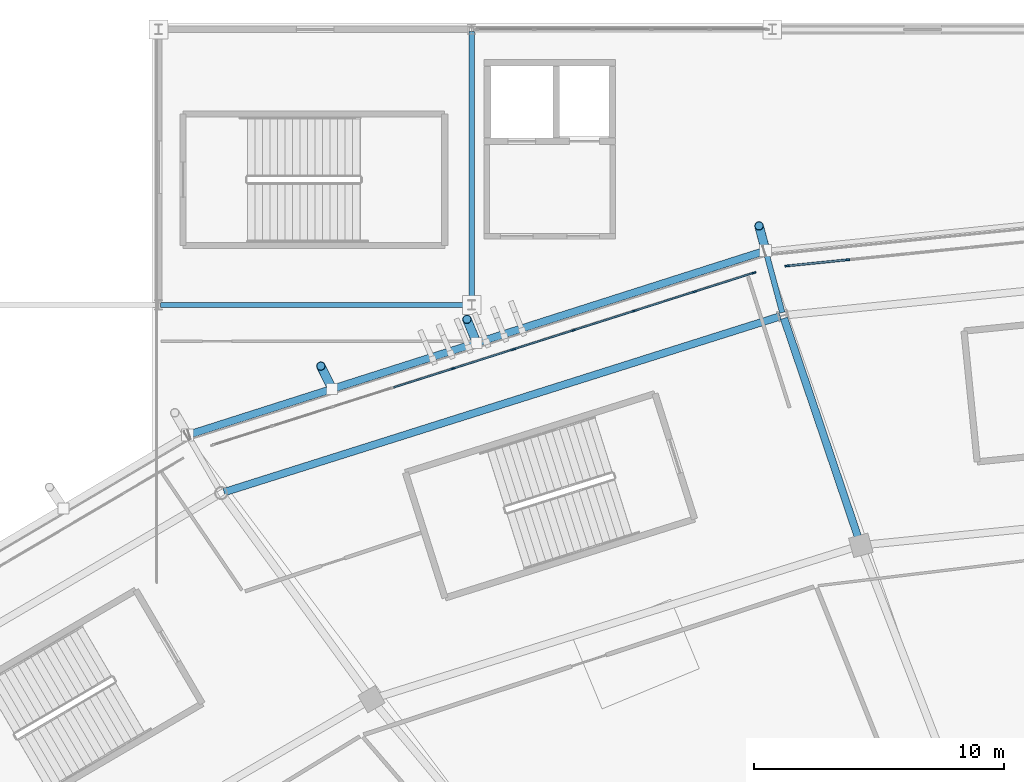
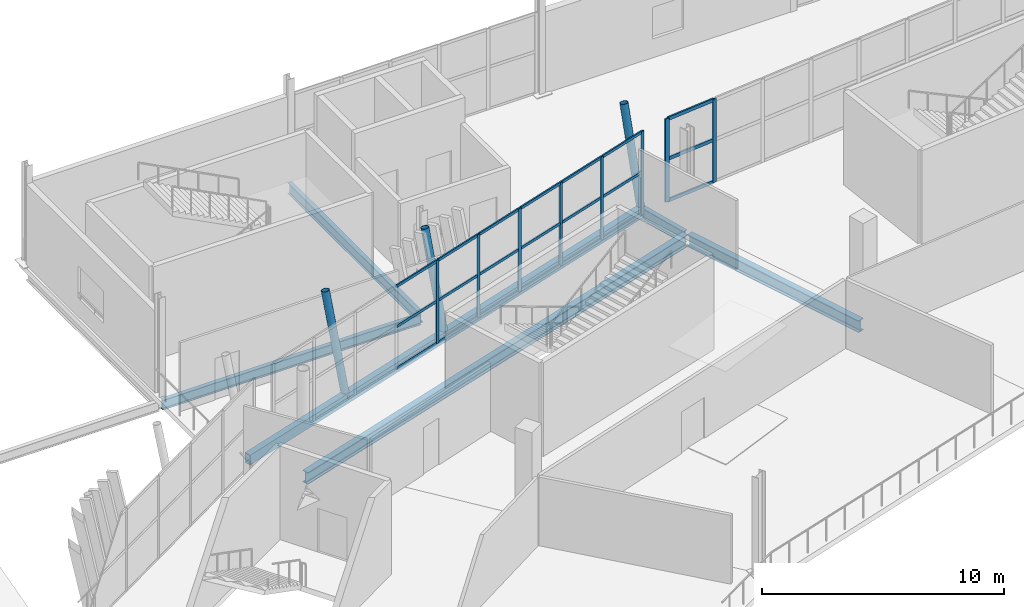
# One storey, part 74 of 179: 32 members, 6 beams, 2 elements without a shape of their own.
"""IFC4 building model written with IfcOpenShell, lengths in metres."""

from ifc_helpers import new_model, si_unit, direction, frame, origin, origin_2d, place, context, subcontext, project, spatial, rectangle, hollow_rectangle, hollow_circle, i_section, extrude, material, material_profile, profile_set, type_object, element, aggregate, save


model = new_model("IFC4")

# Units and contexts
model_context = context("Model", 3, precision=1e-05, world=origin(), true_north=direction((0.0, 1.0)))
body_context = subcontext(model_context, "Body", "Model", "MODEL_VIEW")
ifc_project = project(units=[si_unit("LENGTHUNIT", "METRE"), si_unit("AREAUNIT", "SQUARE_METRE"), si_unit("VOLUMEUNIT", "CUBIC_METRE"), si_unit("PLANEANGLEUNIT", "RADIAN"), si_unit("MASSUNIT", "GRAM", prefix="KILO")], contexts=[model_context])

# Site, building, storey
site_placement = place(None, origin())
site = spatial("IfcSite", under=ifc_project, at=site_placement, CompositionType="ELEMENT")
building_placement = place(site_placement, origin())
building = spatial("IfcBuilding", under=site, at=building_placement, Name="Zlatoyarsky Gate Stadium", CompositionType="ELEMENT")
storey_placement = place(building_placement, frame((0.0, 0.0, 10.60009765625)))
storey = spatial("IfcBuildingStorey", under=building, at=storey_placement, Name="L02", CompositionType="ELEMENT", Elevation=10.60009765625)

# Curtain wall, members
ifc_material_1 = material(Name="Thermally broken anodised aluminium curtain wall", Category="aluminium")
curtain_wall_type_1 = type_object("IfcCurtainWallType", Name="MONUMENTAL ARCHED GATE GLAZING UPPER", PredefinedType="USERDEFINED", material=ifc_material_1)
curtain_wall_1_placement = place(storey_placement, origin())
curtain_wall_1 = element("IfcCurtainWall", 1, at=curtain_wall_1_placement, inside=storey, type_object=curtain_wall_type_1, Name="Curtain wall CW-L02-06", ObjectType="ARCHED GATE GLAZING", PredefinedType="USERDEFINED")
ifc_material_2 = material(Name="Anodised aluminium 6063-T6", Category="aluminium")
ifc_material_profile_1 = material_profile(ifc_material_2, rectangle(XDim=0.074951171875, YDim=0.18994140625, at=origin_2d()), Name="ALU 75X190")
ifc_profile_set_1 = profile_set([ifc_material_profile_1], Name="Anodised aluminium 6063-T6")
member_type_1 = type_object("IfcMemberType", Name="ALUMINIUM GATE MULLION 75X190", PredefinedType="MULLION", material=ifc_profile_set_1)
member_1_placement = place(storey_placement, frame((89.50341796875, 150.80126953125, 0.0), z_axis=(0.0, 0.0, 1.0), x_axis=(0.100642363208, -0.994922667712, 0.0)))
member_1 = element("IfcMember", 2, at=member_1_placement, type_object=member_type_1, Name="CW-AG2 mullion 8", PredefinedType="MULLION", context=body_context, shape_type="SweptSolid", body=[
    extrude(rectangle(XDim=0.074951171875, YDim=0.18994140625, at=origin_2d()), origin(), (0.0, 0.0, 1.0), 4.199951171875),
])
member_2_placement = place(storey_placement, frame((87.102294921875, 150.55859375, 0.0), z_axis=(0.0, 0.0, 1.0), x_axis=(0.100642363208, -0.994922667712, 0.0)))
member_2 = element("IfcMember", 3, at=member_2_placement, type_object=member_type_1, Name="CW-AG2 mullion 9", PredefinedType="MULLION", context=body_context, shape_type="SweptSolid", body=[
    extrude(rectangle(XDim=0.074951171875, YDim=0.18994140625, at=origin_2d()), origin(), (0.0, 0.0, 1.0), 4.199951171875),
])
ifc_material_profile_2 = material_profile(ifc_material_2, rectangle(XDim=0.074951171875, YDim=0.169921875, at=origin_2d()), Name="ALU 75X170")
ifc_profile_set_2 = profile_set([ifc_material_profile_2], Name="Anodised aluminium 6063-T6")
member_type_2 = type_object("IfcMemberType", Name="ALUMINIUM GATE TRANSOM 75X170", PredefinedType="USERDEFINED", material=ifc_profile_set_2)
member_3_placement = place(storey_placement, frame((89.46630859375, 150.797607421875, 0.037353515625), z_axis=(-0.994922838656, -0.100640673291, 0.0), x_axis=(0.100640673291, -0.994922838656, 0.0)))
member_3 = element("IfcMember", 4, at=member_3_placement, type_object=member_type_2, Name="CW-AG2 transom 8.1", ObjectType="TRANSOM", PredefinedType="USERDEFINED", context=body_context, shape_type="SweptSolid", body=[
    extrude(rectangle(XDim=0.074951171875, YDim=0.169921875, at=origin_2d()), origin(), (0.0, 0.0, 1.0), 2.338623046875),
])
member_4_placement = place(storey_placement, frame((89.46630859375, 150.797607421875, 2.14990234375), z_axis=(-0.994922838656, -0.100640673291, 0.0), x_axis=(0.100640673291, -0.994922838656, 0.0)))
member_4 = element("IfcMember", 5, at=member_4_placement, type_object=member_type_2, Name="CW-AG2 transom 8.2", ObjectType="TRANSOM", PredefinedType="USERDEFINED", context=body_context, shape_type="SweptSolid", body=[
    extrude(rectangle(XDim=0.074951171875, YDim=0.169921875, at=origin_2d()), origin(), (0.0, 0.0, 1.0), 2.338623046875),
])
member_5_placement = place(storey_placement, frame((89.46630859375, 150.797607421875, 4.162353515625), z_axis=(-0.994922838656, -0.100640673291, 0.0), x_axis=(0.100640673291, -0.994922838656, 0.0)))
member_5 = element("IfcMember", 6, at=member_5_placement, type_object=member_type_2, Name="CW-AG2 transom 8.3", ObjectType="TRANSOM", PredefinedType="USERDEFINED", context=body_context, shape_type="SweptSolid", body=[
    extrude(rectangle(XDim=0.074951171875, YDim=0.169921875, at=origin_2d()), origin(), (0.0, 0.0, 1.0), 2.338623046875),
])
aggregate(curtain_wall_1, [member_1, member_2, member_3, member_4, member_5])

curtain_wall_type_2 = type_object("IfcCurtainWallType", Name="UNITISED HOSPITALITY GLAZING L02", PredefinedType="USERDEFINED", material=ifc_material_1)
curtain_wall_2_placement = place(storey_placement, origin())
curtain_wall_2 = element("IfcCurtainWall", 7, at=curtain_wall_2_placement, inside=storey, type_object=curtain_wall_type_2, Name="Curtain wall CW-L02-07", ObjectType="UNITISED GLAZING", PredefinedType="USERDEFINED")
ifc_material_profile_3 = material_profile(ifc_material_2, rectangle(XDim=0.06494140625, YDim=0.159912109375, at=origin_2d()), Name="ALU 65X160")
ifc_profile_set_3 = profile_set([ifc_material_profile_3], Name="Anodised aluminium 6063-T6")
member_type_3 = type_object("IfcMemberType", Name="ALUMINIUM MULLION 65X160", PredefinedType="MULLION", material=ifc_profile_set_3)
member_6_placement = place(storey_placement, frame((85.76806640625, 150.2822265625, 0.0), z_axis=(0.0, 0.0, 1.0), x_axis=(0.30327935196, -0.952901692031, 0.0)))
member_6 = element("IfcMember", 8, at=member_6_placement, type_object=member_type_3, Name="CW-UG2 mullion 1", PredefinedType="MULLION", context=body_context, shape_type="SweptSolid", body=[
    extrude(rectangle(XDim=0.06494140625, YDim=0.159912109375, at=origin_2d()), origin(), (0.0, 0.0, 1.0), 4.199951171875),
])
member_7_placement = place(storey_placement, frame((83.3916015625, 149.52587890625, 0.0), z_axis=(0.0, 0.0, 1.0), x_axis=(0.30327935196, -0.952901692031, 0.0)))
member_7 = element("IfcMember", 9, at=member_7_placement, type_object=member_type_3, Name="CW-UG2 mullion 2", PredefinedType="MULLION", context=body_context, shape_type="SweptSolid", body=[
    extrude(rectangle(XDim=0.06494140625, YDim=0.159912109375, at=origin_2d()), origin(), (0.0, 0.0, 1.0), 4.199951171875),
])
member_8_placement = place(storey_placement, frame((80.98388671875, 148.759765625, 0.0), z_axis=(0.0, 0.0, 1.0), x_axis=(0.30327935196, -0.952901692031, 0.0)))
member_8 = element("IfcMember", 10, at=member_8_placement, type_object=member_type_3, Name="CW-UG2 mullion 3", PredefinedType="MULLION", context=body_context, shape_type="SweptSolid", body=[
    extrude(rectangle(XDim=0.06494140625, YDim=0.159912109375, at=origin_2d()), origin(), (0.0, 0.0, 1.0), 4.199951171875),
])
member_9_placement = place(storey_placement, frame((78.576416015625, 147.993408203125, 0.0), z_axis=(0.0, 0.0, 1.0), x_axis=(0.30327935196, -0.952901692031, 0.0)))
member_9 = element("IfcMember", 11, at=member_9_placement, type_object=member_type_3, Name="CW-UG2 mullion 4", PredefinedType="MULLION", context=body_context, shape_type="SweptSolid", body=[
    extrude(rectangle(XDim=0.06494140625, YDim=0.159912109375, at=origin_2d()), origin(), (0.0, 0.0, 1.0), 4.199951171875),
])
member_10_placement = place(storey_placement, frame((76.1689453125, 147.227294921875, 0.0), z_axis=(0.0, 0.0, 1.0), x_axis=(0.30327935196, -0.952901692031, 0.0)))
member_10 = element("IfcMember", 12, at=member_10_placement, type_object=member_type_3, Name="CW-UG2 mullion 5", PredefinedType="MULLION", context=body_context, shape_type="SweptSolid", body=[
    extrude(rectangle(XDim=0.06494140625, YDim=0.159912109375, at=origin_2d()), origin(), (0.0, 0.0, 1.0), 4.199951171875),
])
member_11_placement = place(storey_placement, frame((73.761474609375, 146.4609375, 0.0), z_axis=(0.0, 0.0, 1.0), x_axis=(0.30327935196, -0.952901692031, 0.0)))
member_11 = element("IfcMember", 13, at=member_11_placement, type_object=member_type_3, Name="CW-UG2 mullion 6", PredefinedType="MULLION", context=body_context, shape_type="SweptSolid", body=[
    extrude(rectangle(XDim=0.06494140625, YDim=0.159912109375, at=origin_2d()), origin(), (0.0, 0.0, 1.0), 4.199951171875),
])
ifc_material_profile_4 = material_profile(ifc_material_2, rectangle(XDim=0.06494140625, YDim=0.139892578125, at=origin_2d()), Name="ALU 65X140")
ifc_profile_set_4 = profile_set([ifc_material_profile_4], Name="Anodised aluminium 6063-T6")
member_type_4 = type_object("IfcMemberType", Name="ALUMINIUM TRANSOM 65X140", PredefinedType="USERDEFINED", material=ifc_profile_set_4)
member_12_placement = place(storey_placement, frame((85.737060546875, 150.2724609375, 0.032470703125), z_axis=(-0.952916539621, -0.303232696977, 0.0), x_axis=(0.303232696977, -0.952916539621, 0.0)))
member_12 = element("IfcMember", 14, at=member_12_placement, type_object=member_type_4, Name="CW-UG2 transom 1.1", ObjectType="TRANSOM", PredefinedType="USERDEFINED", context=body_context, shape_type="SweptSolid", body=[
    extrude(rectangle(XDim=0.06494140625, YDim=0.139892578125, at=origin_2d()), origin(), (0.0, 0.0, 1.0), 2.428955078125),
])
member_13_placement = place(storey_placement, frame((85.737060546875, 150.2724609375, 2.14990234375), z_axis=(-0.952916539621, -0.303232696977, 0.0), x_axis=(0.303232696977, -0.952916539621, 0.0)))
member_13 = element("IfcMember", 15, at=member_13_placement, type_object=member_type_4, Name="CW-UG2 transom 1.2", ObjectType="TRANSOM", PredefinedType="USERDEFINED", context=body_context, shape_type="SweptSolid", body=[
    extrude(rectangle(XDim=0.06494140625, YDim=0.139892578125, at=origin_2d()), origin(), (0.0, 0.0, 1.0), 2.428955078125),
])
member_14_placement = place(storey_placement, frame((85.737060546875, 150.2724609375, 4.16748046875), z_axis=(-0.952916539621, -0.303232696977, 0.0), x_axis=(0.303232696977, -0.952916539621, 0.0)))
member_14 = element("IfcMember", 16, at=member_14_placement, type_object=member_type_4, Name="CW-UG2 transom 1.3", ObjectType="TRANSOM", PredefinedType="USERDEFINED", context=body_context, shape_type="SweptSolid", body=[
    extrude(rectangle(XDim=0.06494140625, YDim=0.139892578125, at=origin_2d()), origin(), (0.0, 0.0, 1.0), 2.428955078125),
])
member_15_placement = place(storey_placement, frame((83.360595703125, 149.51611328125, 0.032470703125), z_axis=(-0.952899726058, -0.303285528964, 0.0), x_axis=(0.303285528964, -0.952899726058, 0.0)))
member_15 = element("IfcMember", 17, at=member_15_placement, type_object=member_type_4, Name="CW-UG2 transom 2.1", ObjectType="TRANSOM", PredefinedType="USERDEFINED", context=body_context, shape_type="SweptSolid", body=[
    extrude(rectangle(XDim=0.06494140625, YDim=0.139892578125, at=origin_2d()), origin(), (0.0, 0.0, 1.0), 2.461669921875),
])
member_16_placement = place(storey_placement, frame((83.360595703125, 149.51611328125, 2.14990234375), z_axis=(-0.952899726058, -0.303285528964, 0.0), x_axis=(0.303285528964, -0.952899726058, 0.0)))
member_16 = element("IfcMember", 18, at=member_16_placement, type_object=member_type_4, Name="CW-UG2 transom 2.2", ObjectType="TRANSOM", PredefinedType="USERDEFINED", context=body_context, shape_type="SweptSolid", body=[
    extrude(rectangle(XDim=0.06494140625, YDim=0.139892578125, at=origin_2d()), origin(), (0.0, 0.0, 1.0), 2.461669921875),
])
member_17_placement = place(storey_placement, frame((83.360595703125, 149.51611328125, 4.16748046875), z_axis=(-0.952899726058, -0.303285528964, 0.0), x_axis=(0.303285528964, -0.952899726058, 0.0)))
member_17 = element("IfcMember", 19, at=member_17_placement, type_object=member_type_4, Name="CW-UG2 transom 2.3", ObjectType="TRANSOM", PredefinedType="USERDEFINED", context=body_context, shape_type="SweptSolid", body=[
    extrude(rectangle(XDim=0.06494140625, YDim=0.139892578125, at=origin_2d()), origin(), (0.0, 0.0, 1.0), 2.461669921875),
])
member_18_placement = place(storey_placement, frame((80.953125, 148.749755859375, 0.032470703125), z_axis=(-0.9529283851, -0.303195469739, 0.0), x_axis=(0.303195469739, -0.9529283851, 0.0)))
member_18 = element("IfcMember", 20, at=member_18_placement, type_object=member_type_4, Name="CW-UG2 transom 3.1", ObjectType="TRANSOM", PredefinedType="USERDEFINED", context=body_context, shape_type="SweptSolid", body=[
    extrude(rectangle(XDim=0.06494140625, YDim=0.139892578125, at=origin_2d()), origin(), (0.0, 0.0, 1.0), 2.461669921875),
])
member_19_placement = place(storey_placement, frame((80.953125, 148.749755859375, 2.14990234375), z_axis=(-0.9529283851, -0.303195469739, 0.0), x_axis=(0.303195469739, -0.9529283851, 0.0)))
member_19 = element("IfcMember", 21, at=member_19_placement, type_object=member_type_4, Name="CW-UG2 transom 3.2", ObjectType="TRANSOM", PredefinedType="USERDEFINED", context=body_context, shape_type="SweptSolid", body=[
    extrude(rectangle(XDim=0.06494140625, YDim=0.139892578125, at=origin_2d()), origin(), (0.0, 0.0, 1.0), 2.461669921875),
])
member_20_placement = place(storey_placement, frame((80.953125, 148.749755859375, 4.16748046875), z_axis=(-0.9529283851, -0.303195469739, 0.0), x_axis=(0.303195469739, -0.9529283851, 0.0)))
member_20 = element("IfcMember", 22, at=member_20_placement, type_object=member_type_4, Name="CW-UG2 transom 3.3", ObjectType="TRANSOM", PredefinedType="USERDEFINED", context=body_context, shape_type="SweptSolid", body=[
    extrude(rectangle(XDim=0.06494140625, YDim=0.139892578125, at=origin_2d()), origin(), (0.0, 0.0, 1.0), 2.461669921875),
])
member_21_placement = place(storey_placement, frame((78.54541015625, 147.983642578125, 0.032470703125), z_axis=(-0.952890602186, -0.303314193972, 0.0), x_axis=(0.303314193972, -0.952890602186, 0.0)))
member_21 = element("IfcMember", 23, at=member_21_placement, type_object=member_type_4, Name="CW-UG2 transom 4.1", ObjectType="TRANSOM", PredefinedType="USERDEFINED", context=body_context, shape_type="SweptSolid", body=[
    extrude(rectangle(XDim=0.06494140625, YDim=0.139892578125, at=origin_2d()), origin(), (0.0, 0.0, 1.0), 2.46142578125),
])
member_22_placement = place(storey_placement, frame((78.54541015625, 147.983642578125, 2.14990234375), z_axis=(-0.952890602186, -0.303314193972, 0.0), x_axis=(0.303314193972, -0.952890602186, 0.0)))
member_22 = element("IfcMember", 24, at=member_22_placement, type_object=member_type_4, Name="CW-UG2 transom 4.2", ObjectType="TRANSOM", PredefinedType="USERDEFINED", context=body_context, shape_type="SweptSolid", body=[
    extrude(rectangle(XDim=0.06494140625, YDim=0.139892578125, at=origin_2d()), origin(), (0.0, 0.0, 1.0), 2.46142578125),
])
member_23_placement = place(storey_placement, frame((78.54541015625, 147.983642578125, 4.16748046875), z_axis=(-0.952890602186, -0.303314193972, 0.0), x_axis=(0.303314193972, -0.952890602186, 0.0)))
member_23 = element("IfcMember", 25, at=member_23_placement, type_object=member_type_4, Name="CW-UG2 transom 4.3", ObjectType="TRANSOM", PredefinedType="USERDEFINED", context=body_context, shape_type="SweptSolid", body=[
    extrude(rectangle(XDim=0.06494140625, YDim=0.139892578125, at=origin_2d()), origin(), (0.0, 0.0, 1.0), 2.46142578125),
])
member_24_placement = place(storey_placement, frame((76.137939453125, 147.217529296875, 0.032470703125), z_axis=(-0.952890602186, -0.303314193972, 0.0), x_axis=(0.303314193972, -0.952890602186, 0.0)))
member_24 = element("IfcMember", 26, at=member_24_placement, type_object=member_type_4, Name="CW-UG2 transom 5.1", ObjectType="TRANSOM", PredefinedType="USERDEFINED", context=body_context, shape_type="SweptSolid", body=[
    extrude(rectangle(XDim=0.06494140625, YDim=0.139892578125, at=origin_2d()), origin(), (0.0, 0.0, 1.0), 2.46142578125),
])
member_25_placement = place(storey_placement, frame((76.137939453125, 147.217529296875, 2.14990234375), z_axis=(-0.952890602186, -0.303314193972, 0.0), x_axis=(0.303314193972, -0.952890602186, 0.0)))
member_25 = element("IfcMember", 27, at=member_25_placement, type_object=member_type_4, Name="CW-UG2 transom 5.2", ObjectType="TRANSOM", PredefinedType="USERDEFINED", context=body_context, shape_type="SweptSolid", body=[
    extrude(rectangle(XDim=0.06494140625, YDim=0.139892578125, at=origin_2d()), origin(), (0.0, 0.0, 1.0), 2.46142578125),
])
member_26_placement = place(storey_placement, frame((76.137939453125, 147.217529296875, 4.16748046875), z_axis=(-0.952890602186, -0.303314193972, 0.0), x_axis=(0.303314193972, -0.952890602186, 0.0)))
member_26 = element("IfcMember", 28, at=member_26_placement, type_object=member_type_4, Name="CW-UG2 transom 5.3", ObjectType="TRANSOM", PredefinedType="USERDEFINED", context=body_context, shape_type="SweptSolid", body=[
    extrude(rectangle(XDim=0.06494140625, YDim=0.139892578125, at=origin_2d()), origin(), (0.0, 0.0, 1.0), 2.46142578125),
])
member_27_placement = place(storey_placement, frame((73.73046875, 146.451171875, 0.032470703125), z_axis=(-0.952890602186, -0.303314193972, 0.0), x_axis=(0.303314193972, -0.952890602186, 0.0)))
member_27 = element("IfcMember", 29, at=member_27_placement, type_object=member_type_4, Name="CW-UG2 transom 6.1", ObjectType="TRANSOM", PredefinedType="USERDEFINED", context=body_context, shape_type="SweptSolid", body=[
    extrude(rectangle(XDim=0.06494140625, YDim=0.139892578125, at=origin_2d()), origin(), (0.0, 0.0, 1.0), 2.46142578125),
])
member_28_placement = place(storey_placement, frame((73.73046875, 146.451171875, 2.14990234375), z_axis=(-0.952890602186, -0.303314193972, 0.0), x_axis=(0.303314193972, -0.952890602186, 0.0)))
member_28 = element("IfcMember", 30, at=member_28_placement, type_object=member_type_4, Name="CW-UG2 transom 6.2", ObjectType="TRANSOM", PredefinedType="USERDEFINED", context=body_context, shape_type="SweptSolid", body=[
    extrude(rectangle(XDim=0.06494140625, YDim=0.139892578125, at=origin_2d()), origin(), (0.0, 0.0, 1.0), 2.46142578125),
])
member_29_placement = place(storey_placement, frame((73.73046875, 146.451171875, 4.16748046875), z_axis=(-0.952890602186, -0.303314193972, 0.0), x_axis=(0.303314193972, -0.952890602186, 0.0)))
member_29 = element("IfcMember", 31, at=member_29_placement, type_object=member_type_4, Name="CW-UG2 transom 6.3", ObjectType="TRANSOM", PredefinedType="USERDEFINED", context=body_context, shape_type="SweptSolid", body=[
    extrude(rectangle(XDim=0.06494140625, YDim=0.139892578125, at=origin_2d()), origin(), (0.0, 0.0, 1.0), 2.46142578125),
])
aggregate(curtain_wall_2, [member_6, member_7, member_8, member_9, member_10, member_11, member_12, member_13, member_14, member_15, member_16, member_17, member_18, member_19, member_20, member_21, member_22, member_23, member_24, member_25, member_26, member_27, member_28, member_29])

# Beams
ifc_material_3 = material(Name="Steel S355", Category="steel")
ifc_material_profile_5 = material_profile(ifc_material_3, i_section(OverallWidth=0.219970703125, OverallDepth=0.60009765625, WebThickness=0.011962890625, FlangeThickness=0.01904296875, FilletRadius=0.02392578125, at=origin_2d()), Name="IPE 600")
ifc_profile_set_5 = profile_set([ifc_material_profile_5], Name="Steel S355")
beam_type_1 = type_object("IfcBeamType", Name="STEEL CANTILEVER FLOOR BEAM IPE 600", PredefinedType="BEAM", material=ifc_profile_set_5)
beam_1_placement = place(storey_placement, frame((86.898681640625, 148.696533203125, -0.580078125), z_axis=(-0.258750408198, 0.965944214879, 0.0), x_axis=(-0.965944214879, -0.258750408198, 0.0)))
element("IfcBeam", 32, at=beam_1_placement, inside=storey, type_object=beam_type_1, Name="Beam B-IPE600 BM-L02-OUT-07", PredefinedType="BEAM", context=body_context, shape_type="SweptSolid", body=[
    extrude(i_section(OverallWidth=0.219970703125, OverallDepth=0.60009765625, WebThickness=0.011962890625, FlangeThickness=0.01904296875, FilletRadius=0.02392578125, at=origin_2d()), origin(), (0.0, 0.0, 1.0), 2.55615234375),
])
ifc_material_profile_6 = material_profile(ifc_material_3, i_section(OverallWidth=0.199951171875, OverallDepth=0.5, WebThickness=0.01025390625, FlangeThickness=0.01611328125, FilletRadius=0.02099609375, at=origin_2d()), Name="IPE 500")
ifc_profile_set_6 = profile_set([ifc_material_profile_6], Name="Steel S355")
beam_type_2 = type_object("IfcBeamType", Name="STEEL FLOOR BEAM IPE 500", PredefinedType="BEAM", material=ifc_profile_set_6)
beam_2_placement = place(storey_placement, frame((62.080078125, 149.0, -0.530029296875), z_axis=(1.0, 0.0, 0.0), x_axis=(0.0, 1.0, 0.0)))
element("IfcBeam", 33, at=beam_2_placement, inside=storey, type_object=beam_type_2, Name="Beam B-IPE500 BM-L02-WGX-6-P", PredefinedType="BEAM", context=body_context, shape_type="SweptSolid", body=[
    extrude(i_section(OverallWidth=0.199951171875, OverallDepth=0.5, WebThickness=0.01025390625, FlangeThickness=0.01611328125, FilletRadius=0.02099609375, at=origin_2d()), origin(), (0.0, 0.0, 1.0), 12.33984375),
])
ifc_material_profile_7 = material_profile(ifc_material_3, i_section(OverallWidth=0.2099609375, OverallDepth=0.550048828125, WebThickness=0.010986328125, FlangeThickness=0.01708984375, FilletRadius=0.02392578125, at=origin_2d()), Name="IPE 550")
ifc_profile_set_7 = profile_set([ifc_material_profile_7], Name="Steel S355")
beam_type_3 = type_object("IfcBeamType", Name="STEEL FLOOR BEAM IPE 550", PredefinedType="BEAM", material=ifc_profile_set_7)
beam_3_placement = place(storey_placement, frame((74.5, 149.080078125, -0.55517578125), z_axis=(0.0, 1.0, 0.0), x_axis=(-1.0, 0.0, 0.0)))
element("IfcBeam", 34, at=beam_3_placement, inside=storey, type_object=beam_type_3, Name="Beam B-IPE550 BM-L02-WGY-7-P", PredefinedType="BEAM", context=body_context, shape_type="SweptSolid", body=[
    extrude(i_section(OverallWidth=0.2099609375, OverallDepth=0.550048828125, WebThickness=0.010986328125, FlangeThickness=0.01708984375, FilletRadius=0.02392578125, at=origin_2d()), origin(), (0.0, 0.0, 1.0), 10.83984375),
])

# Members
ifc_material_profile_8 = material_profile(ifc_material_3, hollow_circle(Radius=0.177734375, WallThickness=0.02001953125, at=origin_2d()), Name="CHS 355.6X20")
ifc_profile_set_8 = profile_set([ifc_material_profile_8], Name="Steel S355")
member_type_5 = type_object("IfcMemberType", Name="STEEL LEANING RIB RING STRUT CHS 355.6X20", PredefinedType="STRUT", material=ifc_profile_set_8)
member_30_placement = place(storey_placement, frame((86.2373046875, 151.16552734375, -0.580078125), z_axis=(-0.052040278596, 0.194194421968, 0.979581714754), x_axis=(-0.96591831511, -0.258847075576, 0.0)))
element("IfcMember", 35, at=member_30_placement, inside=storey, type_object=member_type_5, Name="Leaning ring strut 07 L02 to L03", PredefinedType="STRUT", context=body_context, shape_type="SweptSolid", body=[
    extrude(hollow_circle(Radius=0.177734375, WallThickness=0.02001953125, at=origin_2d()), origin(), (0.0, 0.0, 1.0), 5.104248046875),
])
member_31_placement = place(storey_placement, frame((74.69970703125, 147.4853515625, -0.530029296875), z_axis=(-0.076316931677, 0.184213283357, 0.979918972249), x_axis=(-0.923855963606, -0.38274032778, 0.0)))
element("IfcMember", 36, at=member_31_placement, inside=storey, type_object=member_type_5, Name="Outward-leaning bowl louvre fin rib L02 07-2", PredefinedType="STRUT", context=body_context, shape_type="SweptSolid", body=[
    extrude(hollow_circle(Radius=0.177734375, WallThickness=0.02001953125, at=origin_2d()), origin(), (0.0, 0.0, 1.0), 5.1025390625),
])
member_32_placement = place(storey_placement, frame((68.930908203125, 145.645263671875, -0.530029296875), z_axis=(-0.088461637848, 0.179219737902, 0.979823874059), x_axis=(-0.896713419894, -0.442611615959, 0.0)))
element("IfcMember", 37, at=member_32_placement, inside=storey, type_object=member_type_5, Name="Outward-leaning bowl louvre fin rib L02 07-3", PredefinedType="STRUT", context=body_context, shape_type="SweptSolid", body=[
    extrude(hollow_circle(Radius=0.177734375, WallThickness=0.02001953125, at=origin_2d()), origin(), (0.0, 0.0, 1.0), 5.10302734375),
])

# Beams
ifc_material_profile_9 = material_profile(ifc_material_3, hollow_rectangle(XDim=0.300048828125, YDim=0.5, WallThickness=0.02001953125, at=origin_2d()), Name="RHS 500X300X20")
ifc_profile_set_9 = profile_set([ifc_material_profile_9], Name="Steel S355")
beam_type_4 = type_object("IfcBeamType", Name="STEEL LOUVRE CARRIER SPANDREL RHS 500X300X20", PredefinedType="SPANDREL", material=ifc_profile_set_9)
beam_4_placement = place(storey_placement, frame((86.21826171875, 151.159423828125, -0.530029296875), z_axis=(-0.952708602782, -0.303885370141, 0.0), x_axis=(0.303885370141, -0.952708602782, 0.0)))
element("IfcBeam", 38, at=beam_4_placement, inside=storey, type_object=beam_type_4, Name="Beam SP-RHS500 BM-L02-SPD-07", PredefinedType="SPANDREL", context=body_context, shape_type="SweptSolid", body=[
    extrude(hollow_rectangle(XDim=0.300048828125, YDim=0.5, WallThickness=0.02001953125, at=origin_2d()), origin(), (0.0, 0.0, 1.0), 24.1806640625),
])
ifc_material_profile_10 = material_profile(ifc_material_3, i_section(OverallWidth=0.300048828125, OverallDepth=0.60009765625, WebThickness=0.015380859375, FlangeThickness=0.030029296875, FilletRadius=0.027099609375, at=origin_2d()), Name="HEB 600")
ifc_profile_set_10 = profile_set([ifc_material_profile_10], Name="Steel S355")
beam_type_5 = type_object("IfcBeamType", Name="STEEL PRIMARY GIRDER HEB 600", PredefinedType="BEAM", material=ifc_profile_set_10)
beam_5_placement = place(storey_placement, frame((89.997314453125, 139.51806640625, -0.580078125), z_axis=(-0.320612225581, 0.947210536686, 0.0), x_axis=(-0.947210536686, -0.320612225581, 0.0)))
element("IfcBeam", 39, at=beam_5_placement, inside=storey, type_object=beam_type_5, Name="Beam G-HEB600 BM-L02-RBC-07", PredefinedType="BEAM", context=body_context, shape_type="SweptSolid", body=[
    extrude(i_section(OverallWidth=0.300048828125, OverallDepth=0.60009765625, WebThickness=0.015380859375, FlangeThickness=0.030029296875, FilletRadius=0.027099609375, at=origin_2d()), origin(), (0.0, 0.0, 1.0), 9.44775390625),
])
beam_6_placement = place(storey_placement, frame((86.8154296875, 148.54443359375, -0.580078125), z_axis=(-0.953463107403, -0.301509706015, 0.0), x_axis=(0.301509706015, -0.953463107403, 0.0)))
element("IfcBeam", 40, at=beam_6_placement, inside=storey, type_object=beam_type_5, Name="Beam G-HEB600 BM-L02-CRC-07", PredefinedType="BEAM", context=body_context, shape_type="SweptSolid", body=[
    extrude(i_section(OverallWidth=0.300048828125, OverallDepth=0.60009765625, WebThickness=0.015380859375, FlangeThickness=0.030029296875, FilletRadius=0.027099609375, at=origin_2d()), origin(), (0.0, 0.0, 1.0), 23.284423828125),
])

save(model, "model.ifc")
